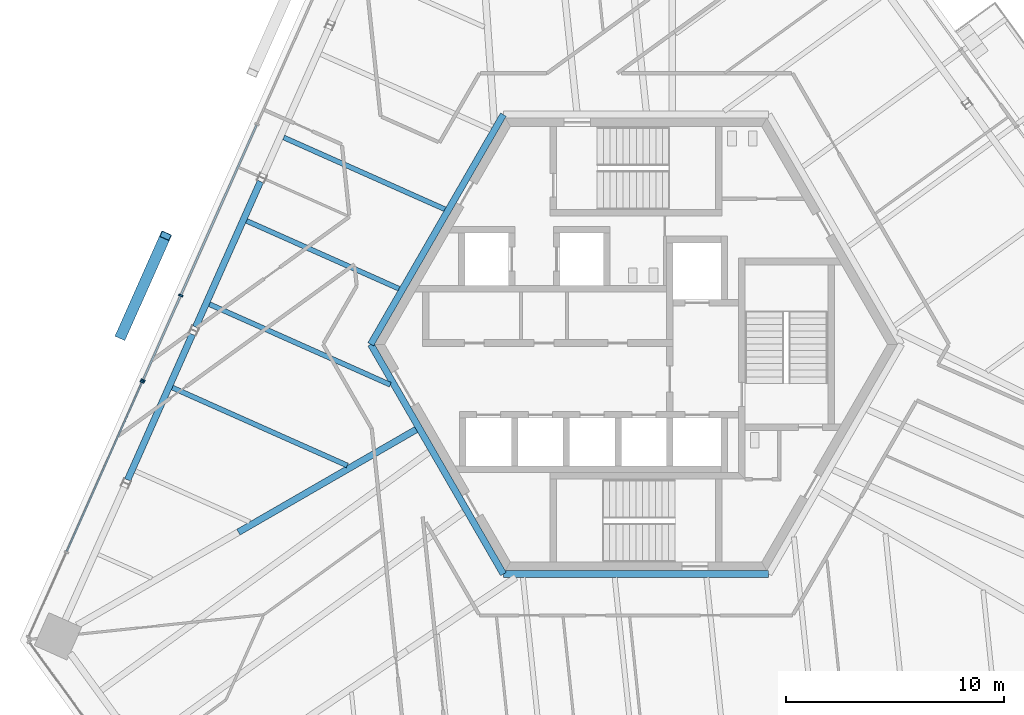
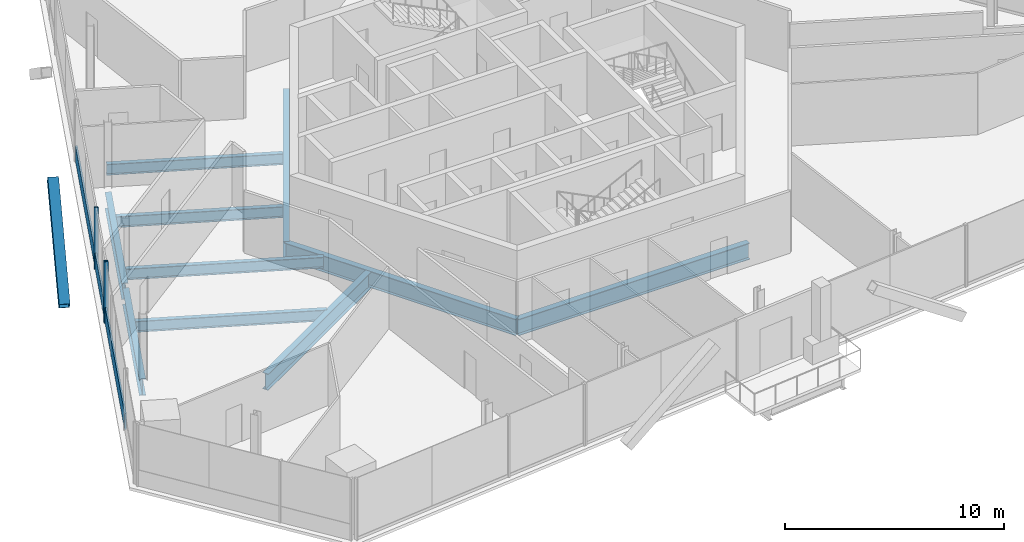
# One storey, part 5 of 18: 10 beams, 7 members, 2 elements without a shape of their own.
"""IFC4 building model written with IfcOpenShell, lengths in metres."""

import ifcopenshell
import ifcopenshell.guid

model = None  # the IFC model being written
_history = None  # IfcOwnerHistory: only IFC2X3 demands one
_inside = {}  # id of a spatial element -> (the spatial element, [elements in it])
_under = {}  # id of a project, library or spatial element -> (it, [spatial elements below it])
_declared = {}  # id of a project -> (the project, [libraries it declares])
_typed = {}  # id of a type object -> (the type object, [elements of that type])
_made_of = {}  # id of a material, layer set ... -> (it, [elements and type objects made of it])


def new_model(schema):
    """Start an empty IFC model of exactly this schema.

    Asked for "IFC4X3", IfcOpenShell would pick the latest addendum, in which some entities
    have other attributes; the version numbers below select the first issue.
    IFC2X3 requires an IfcOwnerHistory on every rooted entity: one is made here for all.
    """
    global model, _history
    if schema == "IFC4X3":
        model = ifcopenshell.file(schema_version=(4, 3, 0, 0))
    else:
        model = ifcopenshell.file(schema=schema)
    _inside.clear()
    _under.clear()
    _declared.clear()
    _typed.clear()
    _made_of.clear()
    _history = None
    if model.schema == "IFC2X3":
        org = make("IfcOrganization", Name="unknown")
        user = make(
            "IfcPersonAndOrganization",
            ThePerson=make("IfcPerson", FamilyName="unknown"),
            TheOrganization=org,
        )
        app = make(
            "IfcApplication",
            ApplicationDeveloper=org,
            Version="unknown",
            ApplicationFullName="unknown",
            ApplicationIdentifier="unknown",
        )
        _history = make(
            "IfcOwnerHistory",
            OwningUser=user,
            OwningApplication=app,
            ChangeAction="ADDED",
            CreationDate=0,
        )
    return model


def make(cls, **values):
    """One entity of the class cls with the attributes given. An attribute that is None is left unset."""
    return model.create_entity(
        cls, **{name: value for name, value in values.items() if value is not None}
    )


def rooted(cls, **values):
    """An entity with a GlobalId (a new one), such as an element, a storey or a relation."""
    return make(cls, GlobalId=ifcopenshell.guid.new(), OwnerHistory=_history, **values)


def si_unit(unit_type, name, prefix=None):
    """IfcSIUnit, for example si_unit("LENGTHUNIT", "METRE", prefix="MILLI")."""
    return make("IfcSIUnit", UnitType=unit_type, Prefix=prefix, Name=name)


def assignment(units):
    """IfcUnitAssignment: the units of a project."""
    return None if units is None else make("IfcUnitAssignment", Units=units)


def point(xyz):
    """IfcCartesianPoint."""
    return None if xyz is None else make("IfcCartesianPoint", Coordinates=xyz)


def direction(xyz):
    """IfcDirection."""
    return None if xyz is None else make("IfcDirection", DirectionRatios=xyz)


def frame(location, z_axis=None, x_axis=None):
    """IfcAxis2Placement3D, a coordinate frame: its origin and axes. An axis left out is left unset."""
    return make(
        "IfcAxis2Placement3D",
        Location=point(location),
        Axis=direction(z_axis),
        RefDirection=direction(x_axis),
    )


def frame_2d(location, x_axis=None):
    """IfcAxis2Placement2D, a coordinate frame in the plane: its origin and x axis."""
    return make(
        "IfcAxis2Placement2D", Location=point(location), RefDirection=direction(x_axis)
    )


def origin():
    """The frame at (0, 0, 0) with its axes left unset."""
    return frame((0.0, 0.0, 0.0))


def origin_2d():
    """The frame at (0, 0) in the plane with its x axis left unset."""
    return frame_2d((0.0, 0.0))


def place(relative_to, where):
    """IfcLocalPlacement: puts the frame where relative to a parent placement (None: the world)."""
    return make(
        "IfcLocalPlacement", PlacementRelTo=relative_to, RelativePlacement=where
    )


def context(
    kind, dimensions, precision=None, world=None, true_north=None, identifier=None
):
    """IfcGeometricRepresentationContext, for example the 3D "Model" context."""
    return make(
        "IfcGeometricRepresentationContext",
        ContextIdentifier=identifier,
        ContextType=kind,
        CoordinateSpaceDimension=dimensions,
        Precision=precision,
        WorldCoordinateSystem=world,
        TrueNorth=true_north,
    )


def subcontext(parent, identifier, kind, view, scale=None):
    """IfcGeometricRepresentationSubContext, for example "Body" below "Model"."""
    return make(
        "IfcGeometricRepresentationSubContext",
        ContextIdentifier=identifier,
        ContextType=kind,
        ParentContext=parent,
        TargetScale=scale,
        TargetView=view,
    )


def project(units=None, contexts=None):
    """IfcProject with its units and contexts."""
    return rooted(
        "IfcProject",
        Name="project",
        RepresentationContexts=contexts,
        UnitsInContext=assignment(units),
    )


def spatial(cls, under=None, at=None, **own):
    """A site, building, storey or space (cls), placed at a placement, below another one or the project."""
    s = rooted(cls, ObjectPlacement=at, **own)
    if under is not None:
        _under.setdefault(under.id(), (under, []))[1].append(s)
    return s


def profile(cls, at=None, kind="AREA", **sizes):
    """A parametric profile (cls). Its sizes go by their IFC names, for example OverallWidth=200.0."""
    return make(cls, ProfileType=kind, Position=at, **sizes)


def rectangle(**sizes):
    """IfcRectangleProfileDef."""
    return profile("IfcRectangleProfileDef", **sizes)


def hollow_rectangle(**sizes):
    """IfcRectangleHollowProfileDef."""
    return profile("IfcRectangleHollowProfileDef", **sizes)


def i_section(**sizes):
    """IfcIShapeProfileDef."""
    return profile("IfcIShapeProfileDef", **sizes)


def extrude(swept, where, along, depth):
    """IfcExtrudedAreaSolid: the profile swept, set in the frame where, extruded along a direction by depth."""
    return make(
        "IfcExtrudedAreaSolid",
        SweptArea=swept,
        Position=where,
        ExtrudedDirection=direction(along),
        Depth=depth,
    )


def shape(context_of_items, identifier, shape_type, items):
    """IfcShapeRepresentation: the items that make up one representation, for example the "Body"."""
    return make(
        "IfcShapeRepresentation",
        ContextOfItems=context_of_items,
        RepresentationIdentifier=identifier,
        RepresentationType=shape_type,
        Items=items,
    )


def source(mapping_origin, context_of_items, identifier, shape_type, items):
    """IfcRepresentationMap: a shape defined once, which mapped items show again and again."""
    return make(
        "IfcRepresentationMap",
        MappingOrigin=mapping_origin,
        MappedRepresentation=shape(context_of_items, identifier, shape_type, items),
    )


def transform(
    local_origin,
    x_axis=None,
    y_axis=None,
    z_axis=None,
    scale=None,
    scale2=None,
    scale3=None,
    uniform=True,
):
    """IfcCartesianTransformationOperator3D, or its non-uniform kind. x_axis, y_axis, z_axis: its Axis1, 2, 3."""
    if uniform:
        return make(
            "IfcCartesianTransformationOperator3D",
            Axis1=direction(x_axis),
            Axis2=direction(y_axis),
            LocalOrigin=point(local_origin),
            Scale=scale,
            Axis3=direction(z_axis),
        )
    return make(
        "IfcCartesianTransformationOperator3DnonUniform",
        Axis1=direction(x_axis),
        Axis2=direction(y_axis),
        LocalOrigin=point(local_origin),
        Scale=scale,
        Axis3=direction(z_axis),
        Scale2=scale2,
        Scale3=scale3,
    )


def mapped(mapping_source, mapping_target):
    """IfcMappedItem: shows the shape of a source again, moved by a transform."""
    return make(
        "IfcMappedItem", MappingSource=mapping_source, MappingTarget=mapping_target
    )


def material(Name=None, Category=None):
    """IfcMaterial."""
    return make("IfcMaterial", Name=Name, Category=Category)


def material_profile(
    of_material, cross_section, Name=None, Category=None, Priority=None
):
    """IfcMaterialProfile: a cross section and its material."""
    return make(
        "IfcMaterialProfile",
        Name=Name,
        Material=of_material,
        Profile=cross_section,
        Priority=Priority,
        Category=Category,
    )


def profile_set(profiles, Name=None, composite=None):
    """IfcMaterialProfileSet."""
    return make(
        "IfcMaterialProfileSet",
        Name=Name,
        MaterialProfiles=profiles,
        CompositeProfile=composite,
    )


def made_of(thing, what):
    """Note that an element or type object is made of a material, layer set ...; save() writes the relation."""
    if what is not None:
        _made_of.setdefault(what.id(), (what, []))[1].append(thing)
    return thing


def type_object(cls, material=None, **own):
    """A type object (cls), such as IfcWallType, which elements share."""
    return made_of(rooted(cls, **own), material)


def element(
    cls,
    number,
    at=None,
    inside=None,
    cuts=None,
    type_object=None,
    material=None,
    context=None,
    identifier="Body",
    shape_type=None,
    held_by="IfcProductDefinitionShape",
    body=None,
    shapes=None,
    **own,
):
    """One element of the class cls, such as IfcWall. Its Tag is "e" and its number.

    at: its placement. inside: the storey or other place that contains it. cuts: it is an
    opening in that element (IfcRelVoidsElement). A single representation is given by context,
    identifier, shape_type and body (its items); several are given by shapes. held_by: the class
    of the entity that holds the representations. save() writes the other relations.
    """
    e = rooted(cls, Tag="e%d" % number, ObjectPlacement=at, **own)
    if body is not None:
        shapes = [shape(context, identifier, shape_type, body)]
    if shapes is not None:
        e.Representation = make(held_by, Representations=shapes)
    if inside is not None:
        _inside.setdefault(inside.id(), (inside, []))[1].append(e)
    if cuts is not None:
        rooted(
            "IfcRelVoidsElement", RelatingBuildingElement=cuts, RelatedOpeningElement=e
        )
    if type_object is not None:
        _typed.setdefault(type_object.id(), (type_object, []))[1].append(e)
    return made_of(e, material)


def aggregate(whole, parts):
    """IfcRelAggregates: a whole, such as a stair, and the parts it consists of."""
    return rooted("IfcRelAggregates", RelatingObject=whole, RelatedObjects=parts)


def save(model, path):
    """Write the relations noted so far, then the file.

    IfcRelAggregates (storeys below a building ...), IfcRelContainedInSpatialStructure (elements
    in a storey), IfcRelDefinesByType, IfcRelAssociatesMaterial and IfcRelDeclares: one each for
    every whole, place, type object, material and project.
    """
    for whole, parts in _under.values():
        aggregate(whole, parts)
    for where, things in _inside.values():
        rooted(
            "IfcRelContainedInSpatialStructure",
            RelatedElements=things,
            RelatingStructure=where,
        )
    for kind, things in _typed.values():
        rooted("IfcRelDefinesByType", RelatedObjects=things, RelatingType=kind)
    for what, things in _made_of.values():
        rooted("IfcRelAssociatesMaterial", RelatedObjects=things, RelatingMaterial=what)
    for by, libraries in _declared.values():
        rooted("IfcRelDeclares", RelatingContext=by, RelatedDefinitions=libraries)
    model.write(path)


model = new_model("IFC4")

# Units and contexts
model_context = context("Model", 3, precision=1e-05, world=origin(), true_north=direction((0.0, 1.0)))
body_context = subcontext(model_context, "Body", "Model", "MODEL_VIEW")
ifc_project = project(units=[si_unit("LENGTHUNIT", "METRE"), si_unit("AREAUNIT", "SQUARE_METRE"), si_unit("VOLUMEUNIT", "CUBIC_METRE"), si_unit("PLANEANGLEUNIT", "RADIAN"), si_unit("MASSUNIT", "GRAM", prefix="KILO")], contexts=[model_context])

# Site, building, storey
site_placement = place(None, origin())
site = spatial("IfcSite", under=ifc_project, at=site_placement, CompositionType="ELEMENT")
building_placement = place(site_placement, origin())
building = spatial("IfcBuilding", under=site, at=building_placement, Name="Triune Harvest Tower", CompositionType="ELEMENT")
storey_placement = place(building_placement, frame((0.0, 0.0, 230.5)))
storey = spatial("IfcBuildingStorey", under=building, at=storey_placement, Name="L60", CompositionType="ELEMENT", Elevation=230.5)

# Beams
ifc_material_1 = material(Name="Steel ASTM A992 Gr 50", Category="steel")
ifc_material_profile_1 = material_profile(ifc_material_1, i_section(OverallWidth=0.3046875, OverallDepth=0.914306640625, WebThickness=0.0166015625, FlangeThickness=0.02587890625, at=origin_2d()), Name="W36x160")
ifc_profile_set_1 = profile_set([ifc_material_profile_1], Name="Steel ASTM A992 Gr 50")
beam_type_1 = type_object("IfcBeamType", Name="CG-1 Core ring girder W36x160", PredefinedType="BEAM", material=ifc_profile_set_1)
shared_shape_1 = source(origin(), body_context, "Body", "SweptSolid", [
    extrude(i_section(OverallWidth=0.3046875, OverallDepth=0.914306640625, WebThickness=0.0166015625, FlangeThickness=0.02587890625, at=origin_2d()), origin(), (0.0, 0.0, 1.0), 12.176025390625),
])
for number, where, z_axis, x_axis, name in (
    (1, (-6.087890625, 10.544677734375, -0.6171875), (-0.5000099932, -0.866019634131, 0.0), (0.866019634131, -0.5000099932, 0.0), "beam/L60/CG3"),
    (2, (-12.176025390625, 0.0, -0.6171875), (0.5000099932, -0.866019634131, 0.0), (0.866019634131, 0.5000099932, 0.0), "beam/L60/CG4"),
):
    element("IfcBeam", number, at=place(storey_placement, frame(where, z_axis=z_axis, x_axis=x_axis)), inside=storey, type_object=beam_type_1, Name=name, PredefinedType="BEAM", context=body_context, shape_type="MappedRepresentation", body=[
        mapped(shared_shape_1, transform((0.0, 0.0, 0.0), scale=1.0)),
    ])
shared_shape_2 = source(origin(), body_context, "Body", "SweptSolid", [
    extrude(i_section(OverallWidth=0.3046875, OverallDepth=0.914306640625, WebThickness=0.0166015625, FlangeThickness=0.02587890625, at=origin_2d()), origin(), (0.0, 0.0, 1.0), 12.17578125),
])
beam_1_placement = place(storey_placement, frame((-6.087890625, -10.544677734375, -0.6171875), z_axis=(1.0, 0.0, 0.0), x_axis=(0.0, 1.0, 0.0)))
element("IfcBeam", 3, at=beam_1_placement, inside=storey, type_object=beam_type_1, Name="beam/L60/CG5", PredefinedType="BEAM", context=body_context, shape_type="MappedRepresentation", body=[
    mapped(shared_shape_2, transform((0.0, 0.0, 0.0), scale=1.0)),
])
ifc_material_2 = material(Name="Steel ASTM A992 Gr 50", Category="steel")
ifc_material_profile_2 = material_profile(ifc_material_2, i_section(OverallWidth=0.3046875, OverallDepth=0.914306640625, WebThickness=0.0166015625, FlangeThickness=0.02587890625, at=origin_2d()), Name="W36x160")
ifc_profile_set_2 = profile_set([ifc_material_profile_2], Name="Steel ASTM A992 Gr 50")
beam_type_2 = type_object("IfcBeamType", Name="HG-3 Hip girder W36x160", PredefinedType="BEAM", material=ifc_profile_set_2)
shared_shape_3 = source(origin(), body_context, "Body", "SweptSolid", [
    extrude(i_section(OverallWidth=0.3046875, OverallDepth=0.914306640625, WebThickness=0.0166015625, FlangeThickness=0.02587890625, at=origin_2d()), origin(), (0.0, 0.0, 1.0), 9.416259765625),
])
beam_2_placement = place(storey_placement, frame((-18.247802734375, -8.62060546875, -0.6171875), z_axis=(0.866032742664, 0.499987288472, 0.0), x_axis=(-0.499987288472, 0.866032742664, 0.0)))
element("IfcBeam", 4, at=beam_2_placement, inside=storey, type_object=beam_type_2, Name="beam/L60/HG6", PredefinedType="BEAM", context=body_context, shape_type="MappedRepresentation", body=[
    mapped(shared_shape_3, transform((0.0, 0.0, 0.0), scale=1.0)),
])
ifc_material_3 = material(Name="Steel ASTM A992 Gr 50", Category="steel")
ifc_material_profile_3 = material_profile(ifc_material_3, i_section(OverallWidth=0.3046875, OverallDepth=0.914306640625, WebThickness=0.0166015625, FlangeThickness=0.02587890625, at=origin_2d()), Name="W36x160")
ifc_profile_set_3 = profile_set([ifc_material_profile_3], Name="Steel ASTM A992 Gr 50")
beam_type_3 = type_object("IfcBeamType", Name="SB-1 Spandrel beam W36x160", PredefinedType="SPANDREL", material=ifc_profile_set_3)
shared_shape_4 = source(origin(), body_context, "Body", "SweptSolid", [
    extrude(i_section(OverallWidth=0.3046875, OverallDepth=0.914306640625, WebThickness=0.0166015625, FlangeThickness=0.02587890625, at=origin_2d()), origin(), (0.0, 0.0, 1.0), 7.311279296875),
])
for number, where, z_axis, x_axis, name in (
    (5, (-17.238525390625, 7.4736328125, -0.6171875), (-0.406748727305, -0.913540077301, 0.0), (0.913540077301, -0.406748727305, 0.0), "beam/L60/SB12"),
    (6, (-20.362060546875, 0.4580078125, -0.6171875), (-0.406720859208, -0.91355248491, 0.0), (0.91355248491, -0.406720859208, 0.0), "beam/L60/SB13"),
):
    element("IfcBeam", number, at=place(storey_placement, frame(where, z_axis=z_axis, x_axis=x_axis)), inside=storey, type_object=beam_type_3, Name=name, PredefinedType="SPANDREL", context=body_context, shape_type="MappedRepresentation", body=[
        mapped(shared_shape_4, transform((0.0, 0.0, 0.0), scale=1.0)),
    ])
ifc_material_4 = material(Name="Steel ASTM A992 Gr 50", Category="steel")
ifc_material_profile_4 = material_profile(ifc_material_4, i_section(OverallWidth=0.22900390625, OverallDepth=0.612060546875, WebThickness=0.011962890625, FlangeThickness=0.01953125, at=origin_2d()), Name="W24x84")
ifc_profile_set_4 = profile_set([ifc_material_profile_4], Name="Steel ASTM A992 Gr 50")
beam_type_4 = type_object("IfcBeamType", Name="JT-3 Floor joist W24x84", PredefinedType="JOIST", material=ifc_profile_set_4)
shared_shape_5 = source(origin(), body_context, "Body", "SweptSolid", [
    extrude(i_section(OverallWidth=0.22900390625, OverallDepth=0.612060546875, WebThickness=0.011962890625, FlangeThickness=0.01953125, at=origin_2d()), origin(), (0.0, 0.0, 1.0), 8.099609375),
])
beam_3_placement = place(storey_placement, frame((-16.172607421875, 9.4931640625, -0.466064453125), z_axis=(0.913545356779, -0.406736869618, 0.0), x_axis=(0.406736869618, 0.913545356779, 0.0)))
element("IfcBeam", 7, at=beam_3_placement, inside=storey, type_object=beam_type_4, Name="beam/L60/JT17", PredefinedType="JOIST", context=body_context, shape_type="MappedRepresentation", body=[
    mapped(shared_shape_5, transform((0.0, 0.0, 0.0), scale=1.0)),
])
shared_shape_6 = source(origin(), body_context, "Body", "SweptSolid", [
    extrude(i_section(OverallWidth=0.22900390625, OverallDepth=0.612060546875, WebThickness=0.011962890625, FlangeThickness=0.01953125, at=origin_2d()), origin(), (0.0, 0.0, 1.0), 7.659423828125),
])
beam_4_placement = place(storey_placement, frame((-17.876220703125, 5.66650390625, -0.466064453125), z_axis=(0.913536623341, -0.406756484663, 0.0), x_axis=(0.406756484663, 0.913536623341, 0.0)))
element("IfcBeam", 8, at=beam_4_placement, inside=storey, type_object=beam_type_4, Name="beam/L60/JT18", PredefinedType="JOIST", context=body_context, shape_type="MappedRepresentation", body=[
    mapped(shared_shape_6, transform((0.0, 0.0, 0.0), scale=1.0)),
])
shared_shape_7 = source(origin(), body_context, "Body", "SweptSolid", [
    extrude(i_section(OverallWidth=0.22900390625, OverallDepth=0.612060546875, WebThickness=0.011962890625, FlangeThickness=0.01953125, at=origin_2d()), origin(), (0.0, 0.0, 1.0), 9.084716796875),
])
beam_5_placement = place(storey_placement, frame((-19.580078125, 1.83984375, -0.466064453125), z_axis=(0.913546495421, -0.406734312179, 0.0), x_axis=(0.406734312179, 0.913546495421, 0.0)))
element("IfcBeam", 9, at=beam_5_placement, inside=storey, type_object=beam_type_4, Name="beam/L60/JT19", PredefinedType="JOIST", context=body_context, shape_type="MappedRepresentation", body=[
    mapped(shared_shape_7, transform((0.0, 0.0, 0.0), scale=1.0)),
])
shared_shape_8 = source(origin(), body_context, "Body", "SweptSolid", [
    extrude(i_section(OverallWidth=0.22900390625, OverallDepth=0.612060546875, WebThickness=0.011962890625, FlangeThickness=0.01953125, at=origin_2d()), origin(), (0.0, 0.0, 1.0), 8.789306640625),
])
beam_6_placement = place(storey_placement, frame((-21.28369140625, -1.98681640625, -0.466064453125), z_axis=(0.913542165142, -0.406744038074, 0.0), x_axis=(0.406744038074, 0.913542165142, 0.0)))
element("IfcBeam", 10, at=beam_6_placement, inside=storey, type_object=beam_type_4, Name="beam/L60/JT20", PredefinedType="JOIST", context=body_context, shape_type="MappedRepresentation", body=[
    mapped(shared_shape_8, transform((0.0, 0.0, 0.0), scale=1.0)),
])

# Member
ifc_material_5 = material(Name="Steel ASTM A572 Gr 50", Category="steel")
ifc_material_profile_5 = material_profile(ifc_material_5, hollow_rectangle(XDim=0.5, YDim=0.5, WallThickness=0.030029296875, at=origin_2d()), Name="Box 500x500x30")
ifc_profile_set_5 = profile_set([ifc_material_profile_5], Name="Steel ASTM A572 Gr 50")
member_type_1 = type_object("IfcMemberType", Name="BR-3 Brace Box 500x500x30", PredefinedType="BRACE", material=ifc_profile_set_5)
shared_shape_9 = source(origin(), body_context, "Body", "SweptSolid", [
    extrude(hollow_rectangle(XDim=0.5, YDim=0.5, WallThickness=0.030029296875, at=origin_2d()), origin(), (0.0, 0.0, 1.0), 6.1708984375),
])
member_1_placement = place(storey_placement, frame((-23.631591796875, 0.4052734375, 0.0), z_axis=(0.330316790088, 0.741976414099, 0.583405364311), x_axis=(-0.913560276949, 0.406703356737, 0.0)))
element("IfcMember", 11, at=member_1_placement, inside=storey, type_object=member_type_1, Name="brace/B6-F3/d2/4", PredefinedType="BRACE", context=body_context, shape_type="MappedRepresentation", body=[
    mapped(shared_shape_9, transform((0.0, 0.0, 0.0), scale=1.0)),
])

# Curtain wall, members
ifc_material_6 = material(Name="Aluminium bronze anodised", Category="aluminium")
curtain_wall_type_1 = type_object("IfcCurtainWallType", Name="CW-7 Tower stick curtain wall with insulated spandrel infill", PredefinedType="NOTDEFINED", material=ifc_material_6)
curtain_wall_1_placement = place(storey_placement, origin())
curtain_wall_1 = element("IfcCurtainWall", 12, at=curtain_wall_1_placement, inside=storey, type_object=curtain_wall_type_1, Name="CW-7 B6-F3 L60 run 1001")
ifc_material_7 = material(Name="Aluminium bronze anodised", Category="aluminium")
ifc_material_profile_6 = material_profile(ifc_material_7, rectangle(XDim=0.199951171875, YDim=0.074951171875, at=origin_2d()), Name="MU-1 mullion 75 x 200")
ifc_profile_set_6 = profile_set([ifc_material_profile_6], Name="Aluminium bronze anodised")
member_type_2 = type_object("IfcMemberType", Name="MU-1 mullion 75 x 200", PredefinedType="MULLION", material=ifc_profile_set_6)
shared_shape_10 = source(origin(), body_context, "Body", "SweptSolid", [
    extrude(rectangle(XDim=0.199951171875, YDim=0.074951171875, at=origin_2d()), origin(), (0.0, 0.0, 1.0), 3.43994140625),
])
member_2_placement = place(storey_placement, frame((-20.897705078125, 2.24365234375, 0.0), z_axis=(0.0, 0.0, 1.0), x_axis=(0.913543213981, -0.406741682385, 0.0)))
member_2 = element("IfcMember", 13, at=member_2_placement, type_object=member_type_2, Name="CW-7 mullion B6-F3 1001.5", PredefinedType="MULLION", context=body_context, shape_type="MappedRepresentation", body=[
    mapped(shared_shape_10, transform((0.0, 0.0, 0.0), scale=1.0)),
])
member_3_placement = place(storey_placement, frame((-22.63134765625, -1.650146484375, 0.0), z_axis=(0.0, 0.0, 1.0), x_axis=(0.913543213981, -0.406741682385, 0.0)))
member_3 = element("IfcMember", 14, at=member_3_placement, type_object=member_type_2, Name="CW-7 mullion B6-F3 1001.6", PredefinedType="MULLION", context=body_context, shape_type="MappedRepresentation", body=[
    mapped(shared_shape_10, transform((0.0, 0.0, 0.0), scale=1.0)),
])

# Curtain wall, member
ifc_material_8 = material(Name="Aluminium bronze anodised", Category="aluminium")
curtain_wall_type_2 = type_object("IfcCurtainWallType", Name="CW-1 Tower stick curtain wall", PredefinedType="NOTDEFINED", material=ifc_material_8)
curtain_wall_2_placement = place(storey_placement, origin())
curtain_wall_2 = element("IfcCurtainWall", 15, at=curtain_wall_2_placement, inside=storey, type_object=curtain_wall_type_2, Name="CW-1 B6-F3 L60 run 2001")
member_4_placement = place(storey_placement, frame((-22.661865234375, -1.71875, 0.0), z_axis=(0.0, 0.0, 1.0), x_axis=(0.913546291384, -0.406734770456, 0.0)))
member_4 = element("IfcMember", 16, at=member_4_placement, type_object=member_type_2, Name="CW-1 mullion B6-F3 2001.1", PredefinedType="MULLION", context=body_context, shape_type="MappedRepresentation", body=[
    mapped(shared_shape_10, transform((0.0, 0.0, 0.0), scale=1.0)),
])

# Member
ifc_material_9 = material(Name="Aluminium bronze anodised", Category="aluminium")
ifc_material_profile_7 = material_profile(ifc_material_9, rectangle(XDim=0.090087890625, YDim=0.89990234375, at=origin_2d()), Name="TR-1 transom 90 x 900")
ifc_profile_set_7 = profile_set([ifc_material_profile_7], Name="Aluminium bronze anodised")
member_type_3 = type_object("IfcMemberType", Name="TR-1 transom 90 x 900", PredefinedType="USERDEFINED", material=ifc_profile_set_7)
shared_shape_11 = source(origin(), body_context, "Body", "SweptSolid", [
    extrude(rectangle(XDim=0.090087890625, YDim=0.89990234375, at=origin_2d()), origin(), (0.0, 0.0, 1.0), 4.1875),
])
member_5_placement = place(storey_placement, frame((-20.912841796875, 2.20947265625, 0.449951171875), z_axis=(-0.40677127315, -0.913530038554, 0.0), x_axis=(0.913530038554, -0.40677127315, 0.0)))
member_5 = element("IfcMember", 17, at=member_5_placement, type_object=member_type_3, Name="CW-7 transom B6-F3 1001.3", ObjectType="TRANSOM", PredefinedType="USERDEFINED", context=body_context, shape_type="MappedRepresentation", body=[
    mapped(shared_shape_11, transform((0.0, 0.0, 0.0), scale=1.0)),
])

shared_shape_12 = source(origin(), body_context, "Body", "SweptSolid", [
    extrude(rectangle(XDim=0.090087890625, YDim=0.89990234375, at=origin_2d()), origin(), (0.0, 0.0, 1.0), 8.52490234375),
])
member_6_placement = place(storey_placement, frame((-17.414794921875, 10.06591796875, 0.449951171875), z_axis=(-0.406752182454, -0.913538538907, 0.0), x_axis=(0.913538538907, -0.406752182454, 0.0)))
member_6 = element("IfcMember", 18, at=member_6_placement, type_object=member_type_3, Name="CW-7 transom B6-F3 1001.2", ObjectType="TRANSOM", PredefinedType="USERDEFINED", context=body_context, shape_type="MappedRepresentation", body=[
    mapped(shared_shape_12, transform((0.0, 0.0, 0.0), scale=1.0)),
])

aggregate(curtain_wall_1, [member_2, member_3, member_6, member_5])

shared_shape_13 = source(origin(), body_context, "Body", "SweptSolid", [
    extrude(rectangle(XDim=0.090087890625, YDim=0.89990234375, at=origin_2d()), origin(), (0.0, 0.0, 1.0), 8.48779296875),
])
member_7_placement = place(storey_placement, frame((-22.677001953125, -1.7529296875, 0.449951171875), z_axis=(-0.406749532795, -0.913539718661, 0.0), x_axis=(0.913539718661, -0.406749532795, 0.0)))
member_7 = element("IfcMember", 19, at=member_7_placement, type_object=member_type_3, Name="CW-1 transom B6-F3 2001.1", ObjectType="TRANSOM", PredefinedType="USERDEFINED", context=body_context, shape_type="MappedRepresentation", body=[
    mapped(shared_shape_13, transform((0.0, 0.0, 0.0), scale=1.0)),
])

aggregate(curtain_wall_2, [member_4, member_7])

save(model, "model.ifc")
